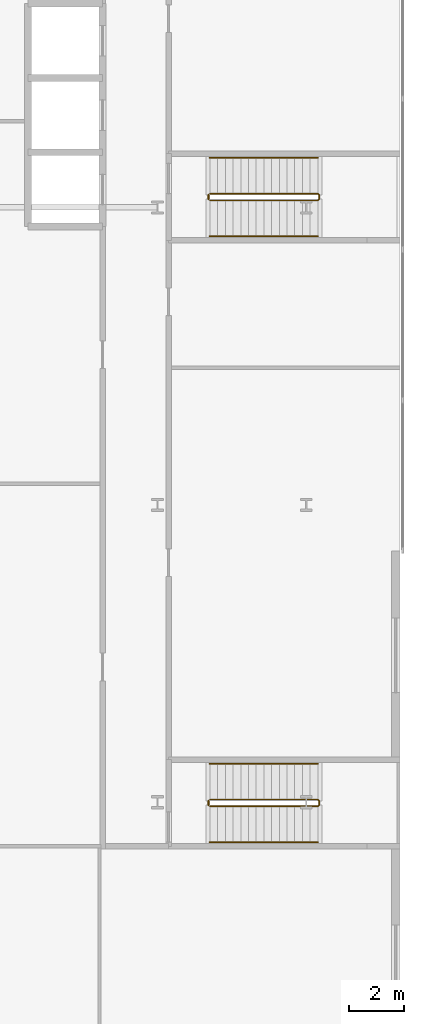
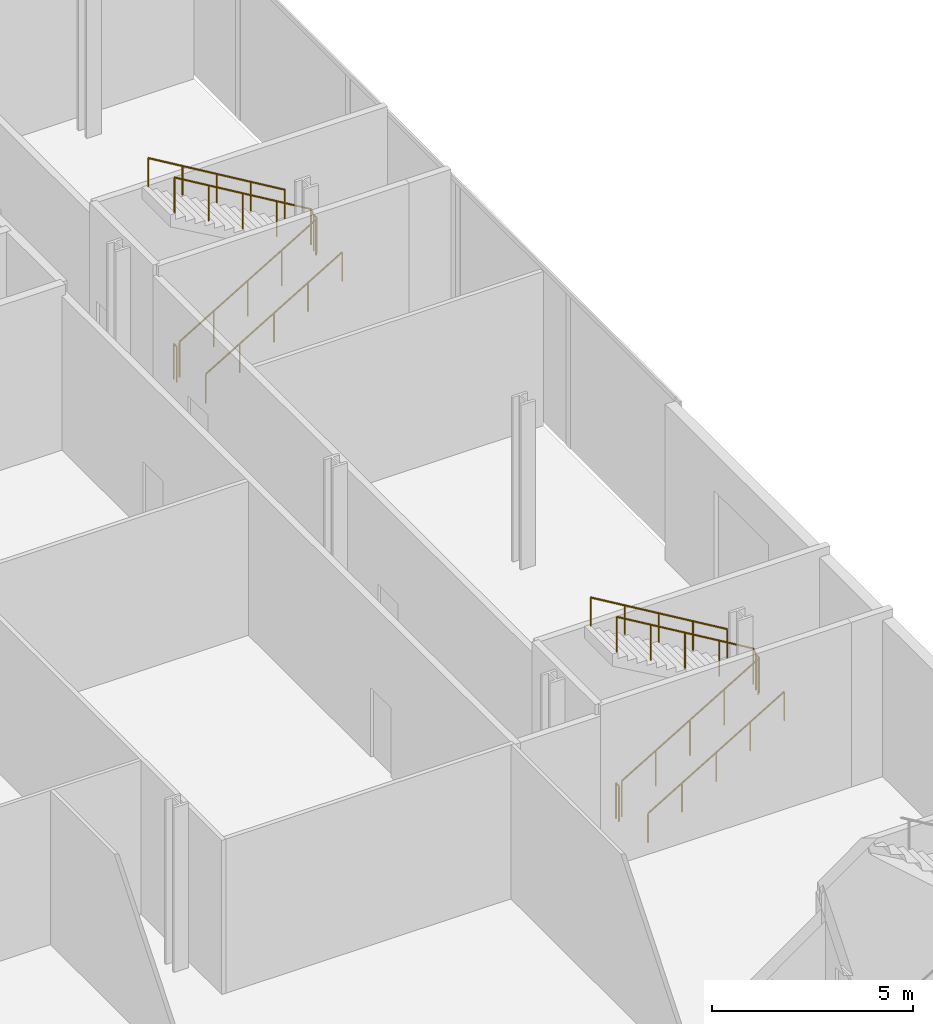
# One storey, part 43 of 47: 8 railings.
"""IFC4 building model written with IfcOpenShell, lengths in metres."""

from ifc_helpers import new_model, si_unit, direction, frame, origin, origin_2d, place, context, subcontext, project, spatial, circle, extrude, material, type_object, element, save


model = new_model("IFC4")

# Units and contexts
model_context = context("Model", 3, precision=1e-05, world=origin(), true_north=direction((0.0, 1.0)))
body_context = subcontext(model_context, "Body", "Model", "MODEL_VIEW")
ifc_project = project(units=[si_unit("LENGTHUNIT", "METRE"), si_unit("AREAUNIT", "SQUARE_METRE"), si_unit("VOLUMEUNIT", "CUBIC_METRE"), si_unit("PLANEANGLEUNIT", "RADIAN"), si_unit("MASSUNIT", "GRAM", prefix="KILO")], contexts=[model_context])

# Site, building, storey
site_placement = place(None, origin())
site = spatial("IfcSite", under=ifc_project, at=site_placement, CompositionType="ELEMENT")
building_placement = place(site_placement, origin())
building = spatial("IfcBuilding", under=site, at=building_placement, Name="Kheshtan School and Residences Tower", CompositionType="ELEMENT")
storey_placement = place(building_placement, frame((0.0, 0.0, 7.5)))
storey = spatial("IfcBuildingStorey", under=building, at=storey_placement, Name="L01", CompositionType="ELEMENT", Elevation=7.5)

# Railings
ifc_material_1 = material(Name="Stainless steel balustrade", Category="steel")
railing_type_1 = type_object("IfcRailingType", Name="Stair guard 1100", PredefinedType="GUARDRAIL", material=ifc_material_1)
railing_1_placement = place(storey_placement, frame((125.10009765625, 45.449951171875, 0.166748046875)))
element("IfcRailing", 1, at=railing_1_placement, inside=storey, type_object=railing_type_1, Name="L01 PS-124-044 stair guard 1", PredefinedType="GUARDRAIL", context=body_context, shape_type="SweptSolid", body=[
    extrude(circle(Radius=0.02392578125, at=origin_2d()), frame((0.0, 0.0, 1.076171875), z_axis=(0.859296244711, 0.0, 0.511478214419), x_axis=(0.0, 1.0, 0.0)), (0.0, 0.0, 1.0), 4.561767578125),
    extrude(circle(Radius=0.02392578125, at=origin_2d()), frame((3.919921875, 0.0, 3.4091796875), z_axis=(0.707106781187, 0.707106781187, 0.0), x_axis=(-0.707106781187, 0.707106781187, 0.0)), (0.0, 0.0, 1.0), 0.07080078125),
    extrude(circle(Radius=0.02392578125, at=origin_2d()), frame((3.969970703125, 0.050048828125, 3.4091796875), z_axis=(0.0, 1.0, 0.0), x_axis=(-1.0, 0.0, 0.0)), (0.0, 0.0, 1.0), 0.14990234375),
    extrude(circle(Radius=0.02392578125, at=origin_2d()), frame((3.969970703125, 0.199951171875, 3.4091796875), z_axis=(-0.27628659633, 0.27628659633, 0.920506074601), x_axis=(-0.707106781187, -0.707106781187, 0.0)), (0.0, 0.0, 1.0), 0.18115234375),
    extrude(circle(Radius=0.02392578125, at=origin_2d()), frame((3.919921875, 0.25, 3.576171875), z_axis=(-0.859296244711, 0.0, 0.511478214419), x_axis=(0.0, -1.0, 0.0)), (0.0, 0.0, 1.0), 4.561767578125),
    extrude(circle(Radius=0.02099609375, at=origin_2d()), origin(), (0.0, 0.0, 1.0), 1.052001953125),
    extrude(circle(Radius=0.02099609375, at=origin_2d()), frame((0.97998046875, 0.0, 0.583251953125)), (0.0, 0.0, 1.0), 1.052001953125),
    extrude(circle(Radius=0.02099609375, at=origin_2d()), frame((1.9599609375, 0.0, 1.16650390625)), (0.0, 0.0, 1.0), 1.052001953125),
    extrude(circle(Radius=0.02099609375, at=origin_2d()), frame((2.93994140625, 0.0, 1.75)), (0.0, 0.0, 1.0), 1.052001953125),
    extrude(circle(Radius=0.02099609375, at=origin_2d()), frame((3.919921875, 0.0, 2.333251953125)), (0.0, 0.0, 1.0), 1.052001953125),
    extrude(circle(Radius=0.02099609375, at=origin_2d()), frame((3.969970703125, 0.050048828125, 2.333251953125)), (0.0, 0.0, 1.0), 1.052001953125),
    extrude(circle(Radius=0.02099609375, at=origin_2d()), frame((3.969970703125, 0.199951171875, 2.333251953125)), (0.0, 0.0, 1.0), 1.052001953125),
    extrude(circle(Radius=0.02099609375, at=origin_2d()), frame((3.919921875, 0.25, 2.5)), (0.0, 0.0, 1.0), 1.052001953125),
    extrude(circle(Radius=0.02099609375, at=origin_2d()), frame((2.93994140625, 0.25, 3.083251953125)), (0.0, 0.0, 1.0), 1.052001953125),
    extrude(circle(Radius=0.02099609375, at=origin_2d()), frame((1.9599609375, 0.25, 3.66650390625)), (0.0, 0.0, 1.0), 1.052001953125),
    extrude(circle(Radius=0.02099609375, at=origin_2d()), frame((0.97998046875, 0.25, 4.25)), (0.0, 0.0, 1.0), 1.052001953125),
    extrude(circle(Radius=0.02099609375, at=origin_2d()), frame((0.0, 0.25, 4.833251953125)), (0.0, 0.0, 1.0), 1.052001953125),
])
railing_2_placement = place(storey_placement, frame((125.050048828125, 45.5, 0.0)))
element("IfcRailing", 2, at=railing_2_placement, inside=storey, type_object=railing_type_1, Name="L01 PS-124-044 stair guard 2", PredefinedType="GUARDRAIL", context=body_context, shape_type="SweptSolid", body=[
    extrude(circle(Radius=0.02392578125, at=origin_2d()), frame((0.0, 0.0, 1.076171875), z_axis=(0.0, 1.0, 0.0), x_axis=(-1.0, 0.0, 0.0)), (0.0, 0.0, 1.0), 0.14990234375),
    extrude(circle(Radius=0.02099609375, at=origin_2d()), origin(), (0.0, 0.0, 1.0), 1.052001953125),
    extrude(circle(Radius=0.02099609375, at=origin_2d()), frame((0.0, 0.14990234375, 0.0)), (0.0, 0.0, 1.0), 1.052001953125),
])
railing_3_placement = place(storey_placement, frame((125.10009765625, 67.449951171875, 0.166748046875)))
element("IfcRailing", 3, at=railing_3_placement, inside=storey, type_object=railing_type_1, Name="L01 PS-124-066 stair guard 1", PredefinedType="GUARDRAIL", context=body_context, shape_type="SweptSolid", body=[
    extrude(circle(Radius=0.02392578125, at=origin_2d()), frame((0.0, 0.0, 1.076171875), z_axis=(0.859296244711, 0.0, 0.511478214419), x_axis=(0.0, 1.0, 0.0)), (0.0, 0.0, 1.0), 4.561767578125),
    extrude(circle(Radius=0.02392578125, at=origin_2d()), frame((3.919921875, 0.0, 3.4091796875), z_axis=(0.707106781187, 0.707106781187, 0.0), x_axis=(-0.707106781187, 0.707106781187, 0.0)), (0.0, 0.0, 1.0), 0.07080078125),
    extrude(circle(Radius=0.02392578125, at=origin_2d()), frame((3.969970703125, 0.050048828125, 3.4091796875), z_axis=(0.0, 1.0, 0.0), x_axis=(-1.0, 0.0, 0.0)), (0.0, 0.0, 1.0), 0.14990234375),
    extrude(circle(Radius=0.02392578125, at=origin_2d()), frame((3.969970703125, 0.199951171875, 3.4091796875), z_axis=(-0.27628659633, 0.27628659633, 0.920506074601), x_axis=(-0.707106781187, -0.707106781187, 0.0)), (0.0, 0.0, 1.0), 0.18115234375),
    extrude(circle(Radius=0.02392578125, at=origin_2d()), frame((3.919921875, 0.25, 3.576171875), z_axis=(-0.859296244711, 0.0, 0.511478214419), x_axis=(0.0, -1.0, 0.0)), (0.0, 0.0, 1.0), 4.561767578125),
    extrude(circle(Radius=0.02099609375, at=origin_2d()), origin(), (0.0, 0.0, 1.0), 1.052001953125),
    extrude(circle(Radius=0.02099609375, at=origin_2d()), frame((0.97998046875, 0.0, 0.583251953125)), (0.0, 0.0, 1.0), 1.052001953125),
    extrude(circle(Radius=0.02099609375, at=origin_2d()), frame((1.9599609375, 0.0, 1.16650390625)), (0.0, 0.0, 1.0), 1.052001953125),
    extrude(circle(Radius=0.02099609375, at=origin_2d()), frame((2.93994140625, 0.0, 1.75)), (0.0, 0.0, 1.0), 1.052001953125),
    extrude(circle(Radius=0.02099609375, at=origin_2d()), frame((3.919921875, 0.0, 2.333251953125)), (0.0, 0.0, 1.0), 1.052001953125),
    extrude(circle(Radius=0.02099609375, at=origin_2d()), frame((3.969970703125, 0.050048828125, 2.333251953125)), (0.0, 0.0, 1.0), 1.052001953125),
    extrude(circle(Radius=0.02099609375, at=origin_2d()), frame((3.969970703125, 0.199951171875, 2.333251953125)), (0.0, 0.0, 1.0), 1.052001953125),
    extrude(circle(Radius=0.02099609375, at=origin_2d()), frame((3.919921875, 0.25, 2.5)), (0.0, 0.0, 1.0), 1.052001953125),
    extrude(circle(Radius=0.02099609375, at=origin_2d()), frame((2.93994140625, 0.25, 3.083251953125)), (0.0, 0.0, 1.0), 1.052001953125),
    extrude(circle(Radius=0.02099609375, at=origin_2d()), frame((1.9599609375, 0.25, 3.66650390625)), (0.0, 0.0, 1.0), 1.052001953125),
    extrude(circle(Radius=0.02099609375, at=origin_2d()), frame((0.97998046875, 0.25, 4.25)), (0.0, 0.0, 1.0), 1.052001953125),
    extrude(circle(Radius=0.02099609375, at=origin_2d()), frame((0.0, 0.25, 4.833251953125)), (0.0, 0.0, 1.0), 1.052001953125),
])
railing_4_placement = place(storey_placement, frame((125.050048828125, 67.5, 0.0)))
element("IfcRailing", 4, at=railing_4_placement, inside=storey, type_object=railing_type_1, Name="L01 PS-124-066 stair guard 2", PredefinedType="GUARDRAIL", context=body_context, shape_type="SweptSolid", body=[
    extrude(circle(Radius=0.02392578125, at=origin_2d()), frame((0.0, 0.0, 1.076171875), z_axis=(0.0, 1.0, 0.0), x_axis=(-1.0, 0.0, 0.0)), (0.0, 0.0, 1.0), 0.14990234375),
    extrude(circle(Radius=0.02099609375, at=origin_2d()), origin(), (0.0, 0.0, 1.0), 1.052001953125),
    extrude(circle(Radius=0.02099609375, at=origin_2d()), frame((0.0, 0.14990234375, 0.0)), (0.0, 0.0, 1.0), 1.052001953125),
])
ifc_material_2 = material(Name="Stainless steel handrail", Category="steel")
railing_type_2 = type_object("IfcRailingType", Name="Stair handrail 900", PredefinedType="HANDRAIL", material=ifc_material_2)
railing_5_placement = place(storey_placement, frame((125.10009765625, 44.14990234375, 0.166748046875)))
element("IfcRailing", 5, at=railing_5_placement, inside=storey, type_object=railing_type_2, Name="L01 PS-124-044 stair handrail 1", PredefinedType="HANDRAIL", context=body_context, shape_type="SweptSolid", body=[
    extrude(circle(Radius=0.02392578125, at=origin_2d()), frame((0.0, 0.0, 0.8759765625), z_axis=(0.859296244711, 0.0, 0.511478214419), x_axis=(0.0, 1.0, 0.0)), (0.0, 0.0, 1.0), 4.561767578125),
    extrude(circle(Radius=0.02099609375, at=origin_2d()), origin(), (0.0, 0.0, 1.0), 0.851806640625),
    extrude(circle(Radius=0.02099609375, at=origin_2d()), frame((0.97998046875, 0.0, 0.583251953125)), (0.0, 0.0, 1.0), 0.851806640625),
    extrude(circle(Radius=0.02099609375, at=origin_2d()), frame((1.9599609375, 0.0, 1.16650390625)), (0.0, 0.0, 1.0), 0.851806640625),
    extrude(circle(Radius=0.02099609375, at=origin_2d()), frame((2.93994140625, 0.0, 1.75)), (0.0, 0.0, 1.0), 0.851806640625),
    extrude(circle(Radius=0.02099609375, at=origin_2d()), frame((3.919921875, 0.0, 2.333251953125)), (0.0, 0.0, 1.0), 0.851806640625),
])
railing_6_placement = place(storey_placement, frame((129.02001953125, 47.0, 2.666748046875)))
element("IfcRailing", 6, at=railing_6_placement, inside=storey, type_object=railing_type_2, Name="L01 PS-124-044 stair handrail 2", PredefinedType="HANDRAIL", context=body_context, shape_type="SweptSolid", body=[
    extrude(circle(Radius=0.02392578125, at=origin_2d()), frame((0.0, 0.0, 0.8759765625), z_axis=(-0.859296244711, 0.0, 0.511478214419), x_axis=(0.0, -1.0, 0.0)), (0.0, 0.0, 1.0), 4.561767578125),
    extrude(circle(Radius=0.02099609375, at=origin_2d()), origin(), (0.0, 0.0, 1.0), 0.851806640625),
    extrude(circle(Radius=0.02099609375, at=origin_2d()), frame((-0.97998046875, 0.0, 0.583251953125)), (0.0, 0.0, 1.0), 0.851806640625),
    extrude(circle(Radius=0.02099609375, at=origin_2d()), frame((-1.9599609375, 0.0, 1.16650390625)), (0.0, 0.0, 1.0), 0.851806640625),
    extrude(circle(Radius=0.02099609375, at=origin_2d()), frame((-2.93994140625, 0.0, 1.75)), (0.0, 0.0, 1.0), 0.851806640625),
    extrude(circle(Radius=0.02099609375, at=origin_2d()), frame((-3.919921875, 0.0, 2.333251953125)), (0.0, 0.0, 1.0), 0.851806640625),
])
railing_7_placement = place(storey_placement, frame((125.10009765625, 66.14990234375, 0.166748046875)))
element("IfcRailing", 7, at=railing_7_placement, inside=storey, type_object=railing_type_2, Name="L01 PS-124-066 stair handrail 1", PredefinedType="HANDRAIL", context=body_context, shape_type="SweptSolid", body=[
    extrude(circle(Radius=0.02392578125, at=origin_2d()), frame((0.0, 0.0, 0.8759765625), z_axis=(0.859296244711, 0.0, 0.511478214419), x_axis=(0.0, 1.0, 0.0)), (0.0, 0.0, 1.0), 4.561767578125),
    extrude(circle(Radius=0.02099609375, at=origin_2d()), origin(), (0.0, 0.0, 1.0), 0.851806640625),
    extrude(circle(Radius=0.02099609375, at=origin_2d()), frame((0.97998046875, 0.0, 0.583251953125)), (0.0, 0.0, 1.0), 0.851806640625),
    extrude(circle(Radius=0.02099609375, at=origin_2d()), frame((1.9599609375, 0.0, 1.16650390625)), (0.0, 0.0, 1.0), 0.851806640625),
    extrude(circle(Radius=0.02099609375, at=origin_2d()), frame((2.93994140625, 0.0, 1.75)), (0.0, 0.0, 1.0), 0.851806640625),
    extrude(circle(Radius=0.02099609375, at=origin_2d()), frame((3.919921875, 0.0, 2.333251953125)), (0.0, 0.0, 1.0), 0.851806640625),
])
railing_8_placement = place(storey_placement, frame((129.02001953125, 69.0, 2.666748046875)))
element("IfcRailing", 8, at=railing_8_placement, inside=storey, type_object=railing_type_2, Name="L01 PS-124-066 stair handrail 2", PredefinedType="HANDRAIL", context=body_context, shape_type="SweptSolid", body=[
    extrude(circle(Radius=0.02392578125, at=origin_2d()), frame((0.0, 0.0, 0.8759765625), z_axis=(-0.859296244711, 0.0, 0.511478214419), x_axis=(0.0, -1.0, 0.0)), (0.0, 0.0, 1.0), 4.561767578125),
    extrude(circle(Radius=0.02099609375, at=origin_2d()), origin(), (0.0, 0.0, 1.0), 0.851806640625),
    extrude(circle(Radius=0.02099609375, at=origin_2d()), frame((-0.97998046875, 0.0, 0.583251953125)), (0.0, 0.0, 1.0), 0.851806640625),
    extrude(circle(Radius=0.02099609375, at=origin_2d()), frame((-1.9599609375, 0.0, 1.16650390625)), (0.0, 0.0, 1.0), 0.851806640625),
    extrude(circle(Radius=0.02099609375, at=origin_2d()), frame((-2.93994140625, 0.0, 1.75)), (0.0, 0.0, 1.0), 0.851806640625),
    extrude(circle(Radius=0.02099609375, at=origin_2d()), frame((-3.919921875, 0.0, 2.333251953125)), (0.0, 0.0, 1.0), 0.851806640625),
])

save(model, "model.ifc")
